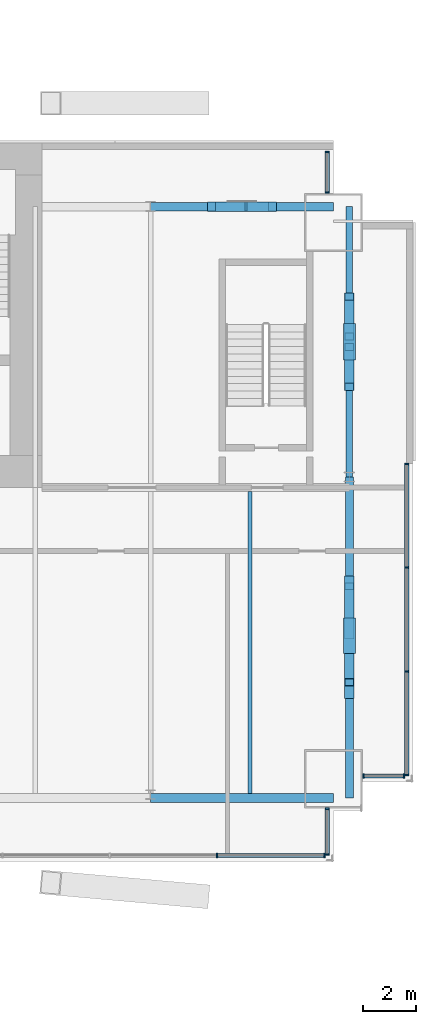
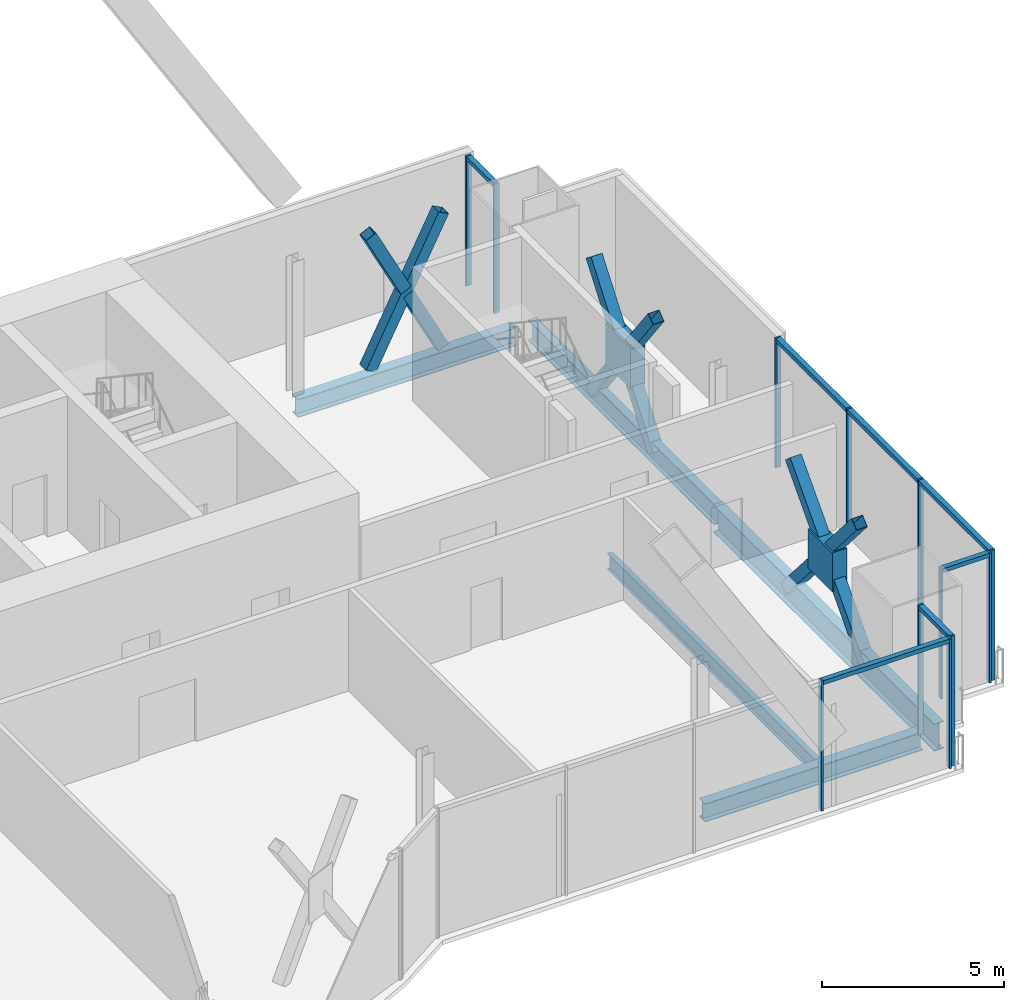
# One storey, part 11 of 19: 32 members, 5 beams, 5 elements without a shape of their own.
"""IFC4 building model written with IfcOpenShell, lengths in metres."""

import ifcopenshell
import ifcopenshell.guid

model = None  # the IFC model being written
_history = None  # IfcOwnerHistory: only IFC2X3 demands one
_inside = {}  # id of a spatial element -> (the spatial element, [elements in it])
_under = {}  # id of a project, library or spatial element -> (it, [spatial elements below it])
_declared = {}  # id of a project -> (the project, [libraries it declares])
_typed = {}  # id of a type object -> (the type object, [elements of that type])
_made_of = {}  # id of a material, layer set ... -> (it, [elements and type objects made of it])


def new_model(schema):
    """Start an empty IFC model of exactly this schema.

    Asked for "IFC4X3", IfcOpenShell would pick the latest addendum, in which some entities
    have other attributes; the version numbers below select the first issue.
    IFC2X3 requires an IfcOwnerHistory on every rooted entity: one is made here for all.
    """
    global model, _history
    if schema == "IFC4X3":
        model = ifcopenshell.file(schema_version=(4, 3, 0, 0))
    else:
        model = ifcopenshell.file(schema=schema)
    _inside.clear()
    _under.clear()
    _declared.clear()
    _typed.clear()
    _made_of.clear()
    _history = None
    if model.schema == "IFC2X3":
        org = make("IfcOrganization", Name="unknown")
        user = make(
            "IfcPersonAndOrganization",
            ThePerson=make("IfcPerson", FamilyName="unknown"),
            TheOrganization=org,
        )
        app = make(
            "IfcApplication",
            ApplicationDeveloper=org,
            Version="unknown",
            ApplicationFullName="unknown",
            ApplicationIdentifier="unknown",
        )
        _history = make(
            "IfcOwnerHistory",
            OwningUser=user,
            OwningApplication=app,
            ChangeAction="ADDED",
            CreationDate=0,
        )
    return model


def make(cls, **values):
    """One entity of the class cls with the attributes given. An attribute that is None is left unset."""
    return model.create_entity(
        cls, **{name: value for name, value in values.items() if value is not None}
    )


def rooted(cls, **values):
    """An entity with a GlobalId (a new one), such as an element, a storey or a relation."""
    return make(cls, GlobalId=ifcopenshell.guid.new(), OwnerHistory=_history, **values)


def si_unit(unit_type, name, prefix=None):
    """IfcSIUnit, for example si_unit("LENGTHUNIT", "METRE", prefix="MILLI")."""
    return make("IfcSIUnit", UnitType=unit_type, Prefix=prefix, Name=name)


def assignment(units):
    """IfcUnitAssignment: the units of a project."""
    return None if units is None else make("IfcUnitAssignment", Units=units)


def point(xyz):
    """IfcCartesianPoint."""
    return None if xyz is None else make("IfcCartesianPoint", Coordinates=xyz)


def direction(xyz):
    """IfcDirection."""
    return None if xyz is None else make("IfcDirection", DirectionRatios=xyz)


def frame(location, z_axis=None, x_axis=None):
    """IfcAxis2Placement3D, a coordinate frame: its origin and axes. An axis left out is left unset."""
    return make(
        "IfcAxis2Placement3D",
        Location=point(location),
        Axis=direction(z_axis),
        RefDirection=direction(x_axis),
    )


def frame_2d(location, x_axis=None):
    """IfcAxis2Placement2D, a coordinate frame in the plane: its origin and x axis."""
    return make(
        "IfcAxis2Placement2D", Location=point(location), RefDirection=direction(x_axis)
    )


def origin():
    """The frame at (0, 0, 0) with its axes left unset."""
    return frame((0.0, 0.0, 0.0))


def origin_2d():
    """The frame at (0, 0) in the plane with its x axis left unset."""
    return frame_2d((0.0, 0.0))


def place(relative_to, where):
    """IfcLocalPlacement: puts the frame where relative to a parent placement (None: the world)."""
    return make(
        "IfcLocalPlacement", PlacementRelTo=relative_to, RelativePlacement=where
    )


def context(
    kind, dimensions, precision=None, world=None, true_north=None, identifier=None
):
    """IfcGeometricRepresentationContext, for example the 3D "Model" context."""
    return make(
        "IfcGeometricRepresentationContext",
        ContextIdentifier=identifier,
        ContextType=kind,
        CoordinateSpaceDimension=dimensions,
        Precision=precision,
        WorldCoordinateSystem=world,
        TrueNorth=true_north,
    )


def subcontext(parent, identifier, kind, view, scale=None):
    """IfcGeometricRepresentationSubContext, for example "Body" below "Model"."""
    return make(
        "IfcGeometricRepresentationSubContext",
        ContextIdentifier=identifier,
        ContextType=kind,
        ParentContext=parent,
        TargetScale=scale,
        TargetView=view,
    )


def project(units=None, contexts=None):
    """IfcProject with its units and contexts."""
    return rooted(
        "IfcProject",
        Name="project",
        RepresentationContexts=contexts,
        UnitsInContext=assignment(units),
    )


def spatial(cls, under=None, at=None, **own):
    """A site, building, storey or space (cls), placed at a placement, below another one or the project."""
    s = rooted(cls, ObjectPlacement=at, **own)
    if under is not None:
        _under.setdefault(under.id(), (under, []))[1].append(s)
    return s


def profile(cls, at=None, kind="AREA", **sizes):
    """A parametric profile (cls). Its sizes go by their IFC names, for example OverallWidth=200.0."""
    return make(cls, ProfileType=kind, Position=at, **sizes)


def rectangle(**sizes):
    """IfcRectangleProfileDef."""
    return profile("IfcRectangleProfileDef", **sizes)


def hollow_rectangle(**sizes):
    """IfcRectangleHollowProfileDef."""
    return profile("IfcRectangleHollowProfileDef", **sizes)


def i_section(**sizes):
    """IfcIShapeProfileDef."""
    return profile("IfcIShapeProfileDef", **sizes)


def extrude(swept, where, along, depth):
    """IfcExtrudedAreaSolid: the profile swept, set in the frame where, extruded along a direction by depth."""
    return make(
        "IfcExtrudedAreaSolid",
        SweptArea=swept,
        Position=where,
        ExtrudedDirection=direction(along),
        Depth=depth,
    )


def shape(context_of_items, identifier, shape_type, items):
    """IfcShapeRepresentation: the items that make up one representation, for example the "Body"."""
    return make(
        "IfcShapeRepresentation",
        ContextOfItems=context_of_items,
        RepresentationIdentifier=identifier,
        RepresentationType=shape_type,
        Items=items,
    )


def material(Name=None, Category=None):
    """IfcMaterial."""
    return make("IfcMaterial", Name=Name, Category=Category)


def material_profile(
    of_material, cross_section, Name=None, Category=None, Priority=None
):
    """IfcMaterialProfile: a cross section and its material."""
    return make(
        "IfcMaterialProfile",
        Name=Name,
        Material=of_material,
        Profile=cross_section,
        Priority=Priority,
        Category=Category,
    )


def profile_set(profiles, Name=None, composite=None):
    """IfcMaterialProfileSet."""
    return make(
        "IfcMaterialProfileSet",
        Name=Name,
        MaterialProfiles=profiles,
        CompositeProfile=composite,
    )


def made_of(thing, what):
    """Note that an element or type object is made of a material, layer set ...; save() writes the relation."""
    if what is not None:
        _made_of.setdefault(what.id(), (what, []))[1].append(thing)
    return thing


def type_object(cls, material=None, **own):
    """A type object (cls), such as IfcWallType, which elements share."""
    return made_of(rooted(cls, **own), material)


def element(
    cls,
    number,
    at=None,
    inside=None,
    cuts=None,
    type_object=None,
    material=None,
    context=None,
    identifier="Body",
    shape_type=None,
    held_by="IfcProductDefinitionShape",
    body=None,
    shapes=None,
    **own,
):
    """One element of the class cls, such as IfcWall. Its Tag is "e" and its number.

    at: its placement. inside: the storey or other place that contains it. cuts: it is an
    opening in that element (IfcRelVoidsElement). A single representation is given by context,
    identifier, shape_type and body (its items); several are given by shapes. held_by: the class
    of the entity that holds the representations. save() writes the other relations.
    """
    e = rooted(cls, Tag="e%d" % number, ObjectPlacement=at, **own)
    if body is not None:
        shapes = [shape(context, identifier, shape_type, body)]
    if shapes is not None:
        e.Representation = make(held_by, Representations=shapes)
    if inside is not None:
        _inside.setdefault(inside.id(), (inside, []))[1].append(e)
    if cuts is not None:
        rooted(
            "IfcRelVoidsElement", RelatingBuildingElement=cuts, RelatedOpeningElement=e
        )
    if type_object is not None:
        _typed.setdefault(type_object.id(), (type_object, []))[1].append(e)
    return made_of(e, material)


def aggregate(whole, parts):
    """IfcRelAggregates: a whole, such as a stair, and the parts it consists of."""
    return rooted("IfcRelAggregates", RelatingObject=whole, RelatedObjects=parts)


def save(model, path):
    """Write the relations noted so far, then the file.

    IfcRelAggregates (storeys below a building ...), IfcRelContainedInSpatialStructure (elements
    in a storey), IfcRelDefinesByType, IfcRelAssociatesMaterial and IfcRelDeclares: one each for
    every whole, place, type object, material and project.
    """
    for whole, parts in _under.values():
        aggregate(whole, parts)
    for where, things in _inside.values():
        rooted(
            "IfcRelContainedInSpatialStructure",
            RelatedElements=things,
            RelatingStructure=where,
        )
    for kind, things in _typed.values():
        rooted("IfcRelDefinesByType", RelatedObjects=things, RelatingType=kind)
    for what, things in _made_of.values():
        rooted("IfcRelAssociatesMaterial", RelatedObjects=things, RelatingMaterial=what)
    for by, libraries in _declared.values():
        rooted("IfcRelDeclares", RelatingContext=by, RelatedDefinitions=libraries)
    model.write(path)


model = new_model("IFC4")

# Units and contexts
model_context = context("Model", 3, precision=1e-05, world=origin(), true_north=direction((0.0, 1.0)))
body_context = subcontext(model_context, "Body", "Model", "MODEL_VIEW")
ifc_project = project(units=[si_unit("LENGTHUNIT", "METRE"), si_unit("AREAUNIT", "SQUARE_METRE"), si_unit("VOLUMEUNIT", "CUBIC_METRE"), si_unit("PLANEANGLEUNIT", "RADIAN"), si_unit("MASSUNIT", "GRAM", prefix="KILO")], contexts=[model_context])

# Site, building, storey
site_placement = place(None, origin())
site = spatial("IfcSite", under=ifc_project, at=site_placement, CompositionType="ELEMENT")
building_placement = place(site_placement, origin())
building = spatial("IfcBuilding", under=site, at=building_placement, Name="Bicima Exchange Tower", CompositionType="ELEMENT")
storey_placement = place(building_placement, frame((0.0, 0.0, 297.5)))
storey = spatial("IfcBuildingStorey", under=building, at=storey_placement, Name="L67", CompositionType="ELEMENT", Elevation=297.5)

# Members
ifc_material_1 = material(Name="Steel ASTM A572 Gr 50", Category="steel")
ifc_material_profile_1 = material_profile(ifc_material_1, rectangle(XDim=0.45556640625, YDim=1.32666015625, at=origin_2d()))
ifc_profile_set_1 = profile_set([ifc_material_profile_1], Name="Steel ASTM A572 Gr 50")
member_type_1 = type_object("IfcMemberType", Name="Brace crossing node 456 x 1327", PredefinedType="POST", material=ifc_profile_set_1)
member_1_placement = place(storey_placement, frame((33.60009765625, -18.596923828125, 0.99072265625), z_axis=(0.0, 0.0, 1.0), x_axis=(1.0, 0.0, 0.0)))
element("IfcMember", 1, at=member_1_placement, inside=storey, type_object=member_type_1, Name="Brace crossing node block", PredefinedType="POST", context=body_context, shape_type="SweptSolid", body=[
    extrude(rectangle(XDim=0.45556640625, YDim=1.32666015625, at=origin_2d()), origin(), (0.0, 0.0, 1.0), 1.306640625),
])
ifc_material_profile_2 = material_profile(ifc_material_1, rectangle(XDim=0.45556640625, YDim=1.381103515625, at=origin_2d()))
ifc_profile_set_2 = profile_set([ifc_material_profile_2], Name="Steel ASTM A572 Gr 50")
member_type_2 = type_object("IfcMemberType", Name="Brace crossing node 456 x 1381", PredefinedType="POST", material=ifc_profile_set_2)
member_2_placement = place(storey_placement, frame((33.60009765625, -7.5, 1.07275390625), z_axis=(0.0, 0.0, 1.0), x_axis=(1.0, 0.0, 0.0)))
element("IfcMember", 2, at=member_2_placement, inside=storey, type_object=member_type_2, Name="Brace crossing node block", PredefinedType="POST", context=body_context, shape_type="SweptSolid", body=[
    extrude(rectangle(XDim=0.45556640625, YDim=1.381103515625, at=origin_2d()), origin(), (0.0, 0.0, 1.0), 1.361083984375),
])

# Curtain wall, members
ifc_material_2 = material(Name="Anodised bronze aluminium", Category="aluminium")
curtain_wall_type_1 = type_object("IfcCurtainWallType", Name="End face glass wall", PredefinedType="NOTDEFINED", material=ifc_material_2)
curtain_wall_1_placement = place(storey_placement, origin())
curtain_wall_1 = element("IfcCurtainWall", 3, at=curtain_wall_1_placement, inside=storey, type_object=curtain_wall_type_1, Name="End face glass wall L67 run 19", PredefinedType="NOTDEFINED")
ifc_material_profile_3 = material_profile(ifc_material_2, rectangle(XDim=0.159912109375, YDim=0.06005859375, at=origin_2d()))
ifc_profile_set_3 = profile_set([ifc_material_profile_3], Name="Anodised bronze aluminium")
member_type_3 = type_object("IfcMemberType", Name="End face glass wall mullion 60 x 160", PredefinedType="MULLION", material=ifc_profile_set_3)
member_3_placement = place(storey_placement, frame((35.77001953125, -23.85595703125, 0.0), z_axis=(0.0, 0.0, 1.0), x_axis=(-1.0, 0.0, 0.0)))
member_3 = element("IfcMember", 4, at=member_3_placement, type_object=member_type_3, Name="End face glass wall mullion 1", PredefinedType="MULLION", context=body_context, shape_type="SweptSolid", body=[
    extrude(rectangle(XDim=0.159912109375, YDim=0.06005859375, at=origin_2d()), origin(), (0.0, 0.0, 1.0), 4.35009765625),
])
member_4_placement = place(storey_placement, frame((35.77001953125, -19.940673828125, 0.0), z_axis=(0.0, 0.0, 1.0), x_axis=(-1.0, 0.0, 0.0)))
member_4 = element("IfcMember", 5, at=member_4_placement, type_object=member_type_3, Name="End face glass wall mullion 2", PredefinedType="MULLION", context=body_context, shape_type="SweptSolid", body=[
    extrude(rectangle(XDim=0.159912109375, YDim=0.06005859375, at=origin_2d()), origin(), (0.0, 0.0, 1.0), 4.35009765625),
])
member_5_placement = place(storey_placement, frame((35.77001953125, -16.025390625, 0.0), z_axis=(0.0, 0.0, 1.0), x_axis=(-1.0, 0.0, 0.0)))
member_5 = element("IfcMember", 6, at=member_5_placement, type_object=member_type_3, Name="End face glass wall mullion 3", PredefinedType="MULLION", context=body_context, shape_type="SweptSolid", body=[
    extrude(rectangle(XDim=0.159912109375, YDim=0.06005859375, at=origin_2d()), origin(), (0.0, 0.0, 1.0), 4.35009765625),
])
member_6_placement = place(storey_placement, frame((35.77001953125, -12.110107421875, 0.0), z_axis=(0.0, 0.0, 1.0), x_axis=(-1.0, 0.0, 0.0)))
member_6 = element("IfcMember", 7, at=member_6_placement, type_object=member_type_3, Name="End face glass wall mullion 4", PredefinedType="MULLION", context=body_context, shape_type="SweptSolid", body=[
    extrude(rectangle(XDim=0.159912109375, YDim=0.06005859375, at=origin_2d()), origin(), (0.0, 0.0, 1.0), 4.35009765625),
])
ifc_material_profile_4 = material_profile(ifc_material_2, rectangle(XDim=0.159912109375, YDim=0.139892578125, at=origin_2d()))
ifc_profile_set_4 = profile_set([ifc_material_profile_4], Name="Anodised bronze aluminium")
member_type_4 = type_object("IfcMemberType", Name="End face glass wall transom 140 x 160", PredefinedType="USERDEFINED", material=ifc_profile_set_4)
member_7_placement = place(storey_placement, frame((35.77001953125, -23.825927734375, 4.280029296875), z_axis=(0.0, 1.0, 0.0), x_axis=(-1.0, 0.0, 0.0)))
member_7 = element("IfcMember", 8, at=member_7_placement, type_object=member_type_4, Name="End face glass wall transom 1.1", ObjectType="TRANSOM", PredefinedType="USERDEFINED", context=body_context, shape_type="SweptSolid", body=[
    extrude(rectangle(XDim=0.159912109375, YDim=0.139892578125, at=origin_2d()), origin(), (0.0, 0.0, 1.0), 3.855224609375),
])
member_8_placement = place(storey_placement, frame((35.77001953125, -19.91064453125, 4.280029296875), z_axis=(0.0, 1.0, 0.0), x_axis=(-1.0, 0.0, 0.0)))
member_8 = element("IfcMember", 9, at=member_8_placement, type_object=member_type_4, Name="End face glass wall transom 2.1", ObjectType="TRANSOM", PredefinedType="USERDEFINED", context=body_context, shape_type="SweptSolid", body=[
    extrude(rectangle(XDim=0.159912109375, YDim=0.139892578125, at=origin_2d()), origin(), (0.0, 0.0, 1.0), 3.855224609375),
])
member_9_placement = place(storey_placement, frame((35.77001953125, -15.995361328125, 4.280029296875), z_axis=(0.0, 1.0, 0.0), x_axis=(-1.0, 0.0, 0.0)))
member_9 = element("IfcMember", 10, at=member_9_placement, type_object=member_type_4, Name="End face glass wall transom 3.1", ObjectType="TRANSOM", PredefinedType="USERDEFINED", context=body_context, shape_type="SweptSolid", body=[
    extrude(rectangle(XDim=0.159912109375, YDim=0.139892578125, at=origin_2d()), origin(), (0.0, 0.0, 1.0), 3.85546875),
])
aggregate(curtain_wall_1, [member_3, member_4, member_5, member_6, member_7, member_8, member_9])

# Beams
ifc_material_3 = material(Name="Steel ASTM A992 Gr 50", Category="steel")
ifc_material_profile_5 = material_profile(ifc_material_3, i_section(OverallWidth=0.256591796875, OverallDepth=0.693359375, WebThickness=0.014404296875, FlangeThickness=0.023681640625, at=origin_2d()))
ifc_profile_set_5 = profile_set([ifc_material_profile_5], Name="Steel ASTM A992 Gr 50")
beam_type_1 = type_object("IfcBeamType", Name="End girder W27x114", PredefinedType="BEAM", material=ifc_profile_set_5)
beam_1_placement = place(storey_placement, frame((33.60009765625, -2.39990234375, -0.49658203125), z_axis=(0.0, -1.0, 0.0), x_axis=(1.0, 0.0, 0.0)))
element("IfcBeam", 11, at=beam_1_placement, inside=storey, type_object=beam_type_1, Name="End girder", PredefinedType="BEAM", context=body_context, shape_type="SweptSolid", body=[
    extrude(i_section(OverallWidth=0.256591796875, OverallDepth=0.693359375, WebThickness=0.014404296875, FlangeThickness=0.023681640625, at=origin_2d()), origin(), (0.0, 0.0, 1.0), 10.2001953125),
])
ifc_material_profile_6 = material_profile(ifc_material_3, i_section(OverallWidth=0.3046875, OverallDepth=0.911865234375, WebThickness=0.015869140625, FlangeThickness=0.02392578125, at=origin_2d()))
ifc_profile_set_6 = profile_set([ifc_material_profile_6], Name="Steel ASTM A992 Gr 50")
beam_type_2 = type_object("IfcBeamType", Name="End girder W36x150", PredefinedType="BEAM", material=ifc_profile_set_6)
beam_2_placement = place(storey_placement, frame((33.60009765625, -12.60009765625, -0.60595703125), z_axis=(0.0, -1.0, 0.0), x_axis=(1.0, 0.0, 0.0)))
element("IfcBeam", 12, at=beam_2_placement, inside=storey, type_object=beam_type_2, Name="End girder", PredefinedType="BEAM", context=body_context, shape_type="SweptSolid", body=[
    extrude(i_section(OverallWidth=0.3046875, OverallDepth=0.911865234375, WebThickness=0.015869140625, FlangeThickness=0.02392578125, at=origin_2d()), origin(), (0.0, 0.0, 1.0), 12.115966796875),
])
ifc_material_profile_7 = material_profile(ifc_material_3, i_section(OverallWidth=0.165771484375, OverallDepth=0.5283203125, WebThickness=0.009765625, FlangeThickness=0.013671875, at=origin_2d()))
ifc_profile_set_7 = profile_set([ifc_material_profile_7], Name="Steel ASTM A992 Gr 50")
beam_type_3 = type_object("IfcBeamType", Name="Floor beam W21x50", PredefinedType="JOIST", material=ifc_profile_set_7)
beam_3_placement = place(storey_placement, frame((29.85009765625, -13.15234375, -0.414306640625), z_axis=(0.0, -1.0, 0.0), x_axis=(1.0, 0.0, 0.0)))
element("IfcBeam", 13, at=beam_3_placement, inside=storey, type_object=beam_type_3, Name="Floor beam", PredefinedType="JOIST", context=body_context, shape_type="SweptSolid", body=[
    extrude(i_section(OverallWidth=0.165771484375, OverallDepth=0.5283203125, WebThickness=0.009765625, FlangeThickness=0.013671875, at=origin_2d()), origin(), (0.0, 0.0, 1.0), 11.401123046875),
])
ifc_material_profile_8 = material_profile(ifc_material_3, i_section(OverallWidth=0.3251953125, OverallDepth=0.612060546875, WebThickness=0.0126953125, FlangeThickness=0.01904296875, at=origin_2d()))
ifc_profile_set_8 = profile_set([ifc_material_profile_8], Name="Steel ASTM A992 Gr 50")
beam_type_4 = type_object("IfcBeamType", Name="Front girder W24x104", PredefinedType="BEAM", material=ifc_profile_set_8)
beam_4_placement = place(storey_placement, frame((26.10009765625, -24.716064453125, -0.4560546875), z_axis=(1.0, 0.0, 0.0), x_axis=(0.0, 1.0, 0.0)))
element("IfcBeam", 14, at=beam_4_placement, inside=storey, type_object=beam_type_4, Name="Front girder", PredefinedType="BEAM", context=body_context, shape_type="SweptSolid", body=[
    extrude(i_section(OverallWidth=0.3251953125, OverallDepth=0.612060546875, WebThickness=0.0126953125, FlangeThickness=0.01904296875, at=origin_2d()), origin(), (0.0, 0.0, 1.0), 6.89990234375),
])

# Curtain wall, members
curtain_wall_type_2 = type_object("IfcCurtainWallType", Name="Front glass wall", PredefinedType="NOTDEFINED", material=ifc_material_2)
curtain_wall_2_placement = place(storey_placement, origin())
curtain_wall_2 = element("IfcCurtainWall", 15, at=curtain_wall_2_placement, inside=storey, type_object=curtain_wall_type_2, Name="Front glass wall L67 run 16", PredefinedType="NOTDEFINED")
member_type_5 = type_object("IfcMemberType", Name="Front glass wall mullion 60 x 160", PredefinedType="MULLION", material=ifc_profile_set_3)
member_10_placement = place(storey_placement, frame((28.610595703125, -26.885986328125, 0.0), z_axis=(0.0, 0.0, 1.0), x_axis=(0.0, 1.0, 0.0)))
member_10 = element("IfcMember", 16, at=member_10_placement, type_object=member_type_5, Name="Front glass wall mullion 4", PredefinedType="MULLION", context=body_context, shape_type="SweptSolid", body=[
    extrude(rectangle(XDim=0.159912109375, YDim=0.06005859375, at=origin_2d()), origin(), (0.0, 0.0, 1.0), 4.35009765625),
])
member_11_placement = place(storey_placement, frame((32.659912109375, -26.885986328125, 0.0), z_axis=(0.0, 0.0, 1.0), x_axis=(0.0, 1.0, 0.0)))
member_11 = element("IfcMember", 17, at=member_11_placement, type_object=member_type_5, Name="Front glass wall mullion 5", PredefinedType="MULLION", context=body_context, shape_type="SweptSolid", body=[
    extrude(rectangle(XDim=0.159912109375, YDim=0.06005859375, at=origin_2d()), origin(), (0.0, 0.0, 1.0), 4.35009765625),
])

curtain_wall_3_placement = place(storey_placement, origin())
curtain_wall_3 = element("IfcCurtainWall", 18, at=curtain_wall_3_placement, inside=storey, type_object=curtain_wall_type_2, Name="Front glass wall L67 run 17", PredefinedType="NOTDEFINED")
member_12_placement = place(storey_placement, frame((32.77001953125, -26.85595703125, 0.0), z_axis=(0.0, 0.0, 1.0), x_axis=(-1.0, 0.0, 0.0)))
member_12 = element("IfcMember", 19, at=member_12_placement, type_object=member_type_5, Name="Front glass wall mullion 1", PredefinedType="MULLION", context=body_context, shape_type="SweptSolid", body=[
    extrude(rectangle(XDim=0.159912109375, YDim=0.06005859375, at=origin_2d()), origin(), (0.0, 0.0, 1.0), 4.35009765625),
])
member_13_placement = place(storey_placement, frame((32.77001953125, -25.1240234375, 0.0), z_axis=(0.0, 0.0, 1.0), x_axis=(-1.0, 0.0, 0.0)))
member_13 = element("IfcMember", 20, at=member_13_placement, type_object=member_type_5, Name="Front glass wall mullion 2", PredefinedType="MULLION", context=body_context, shape_type="SweptSolid", body=[
    extrude(rectangle(XDim=0.159912109375, YDim=0.06005859375, at=origin_2d()), origin(), (0.0, 0.0, 1.0), 4.35009765625),
])

curtain_wall_4_placement = place(storey_placement, origin())
curtain_wall_4 = element("IfcCurtainWall", 21, at=curtain_wall_4_placement, inside=storey, type_object=curtain_wall_type_2, Name="Front glass wall L67 run 18", PredefinedType="NOTDEFINED")
member_14_placement = place(storey_placement, frame((34.1298828125, -23.885986328125, 0.0), z_axis=(0.0, 0.0, 1.0), x_axis=(0.0, 1.0, 0.0)))
member_14 = element("IfcMember", 22, at=member_14_placement, type_object=member_type_5, Name="Front glass wall mullion 1", PredefinedType="MULLION", context=body_context, shape_type="SweptSolid", body=[
    extrude(rectangle(XDim=0.159912109375, YDim=0.06005859375, at=origin_2d()), origin(), (0.0, 0.0, 1.0), 4.35009765625),
])
member_15_placement = place(storey_placement, frame((35.659912109375, -23.885986328125, 0.0), z_axis=(0.0, 0.0, 1.0), x_axis=(0.0, 1.0, 0.0)))
member_15 = element("IfcMember", 23, at=member_15_placement, type_object=member_type_5, Name="Front glass wall mullion 2", PredefinedType="MULLION", context=body_context, shape_type="SweptSolid", body=[
    extrude(rectangle(XDim=0.159912109375, YDim=0.06005859375, at=origin_2d()), origin(), (0.0, 0.0, 1.0), 4.35009765625),
])

curtain_wall_5_placement = place(storey_placement, origin())
curtain_wall_5 = element("IfcCurtainWall", 24, at=curtain_wall_5_placement, inside=storey, type_object=curtain_wall_type_2, Name="Front glass wall L67 run 20", PredefinedType="NOTDEFINED")
member_16_placement = place(storey_placement, frame((32.77001953125, -1.8701171875, 0.0), z_axis=(0.0, 0.0, 1.0), x_axis=(-1.0, 0.0, 0.0)))
member_16 = element("IfcMember", 25, at=member_16_placement, type_object=member_type_5, Name="Front glass wall mullion 1", PredefinedType="MULLION", context=body_context, shape_type="SweptSolid", body=[
    extrude(rectangle(XDim=0.159912109375, YDim=0.06005859375, at=origin_2d()), origin(), (0.0, 0.0, 1.0), 4.35009765625),
])
member_17_placement = place(storey_placement, frame((32.77001953125, -0.340087890625, 0.0), z_axis=(0.0, 0.0, 1.0), x_axis=(-1.0, 0.0, 0.0)))
member_17 = element("IfcMember", 26, at=member_17_placement, type_object=member_type_5, Name="Front glass wall mullion 2", PredefinedType="MULLION", context=body_context, shape_type="SweptSolid", body=[
    extrude(rectangle(XDim=0.159912109375, YDim=0.06005859375, at=origin_2d()), origin(), (0.0, 0.0, 1.0), 4.35009765625),
])

# Member
member_type_6 = type_object("IfcMemberType", Name="Front glass wall transom 140 x 160", PredefinedType="USERDEFINED", material=ifc_profile_set_4)
member_18_placement = place(storey_placement, frame((28.640380859375, -26.885986328125, 4.280029296875), z_axis=(1.0, 0.0, 0.0), x_axis=(0.0, 1.0, 0.0)))
member_18 = element("IfcMember", 27, at=member_18_placement, type_object=member_type_6, Name="Front glass wall transom 4.1", ObjectType="TRANSOM", PredefinedType="USERDEFINED", context=body_context, shape_type="SweptSolid", body=[
    extrude(rectangle(XDim=0.159912109375, YDim=0.139892578125, at=origin_2d()), origin(), (0.0, 0.0, 1.0), 3.989501953125),
])

aggregate(curtain_wall_2, [member_10, member_11, member_18])

member_19_placement = place(storey_placement, frame((32.77001953125, -26.825927734375, 4.280029296875), z_axis=(0.0, 1.0, 0.0), x_axis=(-1.0, 0.0, 0.0)))
member_19 = element("IfcMember", 28, at=member_19_placement, type_object=member_type_6, Name="Front glass wall transom 1.1", ObjectType="TRANSOM", PredefinedType="USERDEFINED", context=body_context, shape_type="SweptSolid", body=[
    extrude(rectangle(XDim=0.159912109375, YDim=0.139892578125, at=origin_2d()), origin(), (0.0, 0.0, 1.0), 1.671875),
])

aggregate(curtain_wall_3, [member_12, member_13, member_19])

member_20_placement = place(storey_placement, frame((34.159912109375, -23.885986328125, 4.280029296875), z_axis=(1.0, 0.0, 0.0), x_axis=(0.0, 1.0, 0.0)))
member_20 = element("IfcMember", 29, at=member_20_placement, type_object=member_type_6, Name="Front glass wall transom 1.1", ObjectType="TRANSOM", PredefinedType="USERDEFINED", context=body_context, shape_type="SweptSolid", body=[
    extrude(rectangle(XDim=0.159912109375, YDim=0.139892578125, at=origin_2d()), origin(), (0.0, 0.0, 1.0), 1.469970703125),
])

aggregate(curtain_wall_4, [member_14, member_15, member_20])

member_21_placement = place(storey_placement, frame((32.77001953125, -1.840087890625, 4.280029296875), z_axis=(0.0, 1.0, 0.0), x_axis=(-1.0, 0.0, 0.0)))
member_21 = element("IfcMember", 30, at=member_21_placement, type_object=member_type_6, Name="Front glass wall transom 1.1", ObjectType="TRANSOM", PredefinedType="USERDEFINED", context=body_context, shape_type="SweptSolid", body=[
    extrude(rectangle(XDim=0.159912109375, YDim=0.139892578125, at=origin_2d()), origin(), (0.0, 0.0, 1.0), 1.469970703125),
])

aggregate(curtain_wall_5, [member_16, member_17, member_21])

# Members
ifc_material_profile_9 = material_profile(ifc_material_1, hollow_rectangle(XDim=0.355712890625, YDim=0.355712890625, WallThickness=0.01171875, at=origin_2d()))
ifc_profile_set_9 = profile_set([ifc_material_profile_9], Name="Steel ASTM A572 Gr 50")
member_type_7 = type_object("IfcMemberType", Name="Mega brace HSS14x14x1/2", PredefinedType="BRACE", material=ifc_profile_set_9)
member_22_placement = place(storey_placement, frame((28.39990234375, -2.39990234375, 0.0), z_axis=(0.455118720355, 0.0, 0.890430766754), x_axis=(0.0, 1.0, 0.0)))
element("IfcMember", 31, at=member_22_placement, inside=storey, type_object=member_type_7, Name="Mega brace rear", PredefinedType="BRACE", context=body_context, shape_type="SweptSolid", body=[
    extrude(hollow_rectangle(XDim=0.355712890625, YDim=0.355712890625, WallThickness=0.01171875, at=origin_2d()), origin(), (0.0, 0.0, 1.0), 5.0537109375),
])
for number, where, z_axis, x_axis, name in (
    (32, (30.699951171875, -2.39990234375, 0.0), (-0.455104022768, 0.0, 0.890438278861), (0.0, -1.0, 0.0), "Mega brace rear"),
    (33, (29.5126953125, -2.39990234375, 2.32275390625), (-0.455104022768, 0.0, 0.890438278861), (0.0, -1.0, 0.0), "Mega brace rear"),
):
    element("IfcMember", number, at=place(storey_placement, frame(where, z_axis=z_axis, x_axis=x_axis)), inside=storey, type_object=member_type_7, Name=name, PredefinedType="BRACE", context=body_context, shape_type="SweptSolid", body=[
        extrude(hollow_rectangle(XDim=0.355712890625, YDim=0.355712890625, WallThickness=0.01171875, at=origin_2d()), origin(), (0.0, 0.0, 1.0), 2.445068359375),
    ])
member_23_placement = place(storey_placement, frame((33.60009765625, -5.800048828125, -0.49658203125), z_axis=(0.0, -0.602892613419, 0.797822346569), x_axis=(1.0, 0.0, 0.0)))
element("IfcMember", 34, at=member_23_placement, inside=storey, type_object=member_type_7, Name="Mega brace east end", PredefinedType="BRACE", context=body_context, shape_type="SweptSolid", body=[
    extrude(hollow_rectangle(XDim=0.355712890625, YDim=0.355712890625, WallThickness=0.01171875, at=origin_2d()), origin(), (0.0, 0.0, 1.0), 2.494873046875),
])
member_24_placement = place(storey_placement, frame((33.60009765625, -7.69580078125, 2.012451171875), z_axis=(0.0, -0.602798485934, 0.797893467423), x_axis=(1.0, 0.0, 0.0)))
element("IfcMember", 35, at=member_24_placement, inside=storey, type_object=member_type_7, Name="Mega brace east end", PredefinedType="BRACE", context=body_context, shape_type="SweptSolid", body=[
    extrude(hollow_rectangle(XDim=0.355712890625, YDim=0.355712890625, WallThickness=0.01171875, at=origin_2d()), origin(), (0.0, 0.0, 1.0), 2.495361328125),
])
member_25_placement = place(storey_placement, frame((33.60009765625, -9.199951171875, -0.49658203125), z_axis=(0.0, 0.602892613419, 0.797822346569), x_axis=(-1.0, 0.0, 0.0)))
element("IfcMember", 36, at=member_25_placement, inside=storey, type_object=member_type_7, Name="Mega brace east end", PredefinedType="BRACE", context=body_context, shape_type="SweptSolid", body=[
    extrude(hollow_rectangle(XDim=0.355712890625, YDim=0.355712890625, WallThickness=0.01171875, at=origin_2d()), origin(), (0.0, 0.0, 1.0), 2.494873046875),
])
member_26_placement = place(storey_placement, frame((33.60009765625, -7.30419921875, 2.012451171875), z_axis=(0.0, 0.602798485934, 0.797893467423), x_axis=(-1.0, 0.0, 0.0)))
element("IfcMember", 37, at=member_26_placement, inside=storey, type_object=member_type_7, Name="Mega brace east end", PredefinedType="BRACE", context=body_context, shape_type="SweptSolid", body=[
    extrude(hollow_rectangle(XDim=0.355712890625, YDim=0.355712890625, WallThickness=0.01171875, at=origin_2d()), origin(), (0.0, 0.0, 1.0), 2.495361328125),
])
for number, where, z_axis, x_axis, name in (
    (38, (33.60009765625, -16.47607421875, -0.60595703125), (0.0, -0.652610580339, 0.757693493723), (1.0, 0.0, 0.0), "Mega brace east end"),
    (39, (33.60009765625, -18.6083984375, 1.86962890625), (0.0, -0.652610580339, 0.757693493723), (1.0, 0.0, 0.0), "Mega brace east end"),
):
    element("IfcMember", number, at=place(storey_placement, frame(where, z_axis=z_axis, x_axis=x_axis)), inside=storey, type_object=member_type_7, Name=name, PredefinedType="BRACE", context=body_context, shape_type="SweptSolid", body=[
        extrude(hollow_rectangle(XDim=0.355712890625, YDim=0.355712890625, WallThickness=0.01171875, at=origin_2d()), origin(), (0.0, 0.0, 1.0), 2.671875),
    ])
member_27_placement = place(storey_placement, frame((33.60009765625, -20.840087890625, -0.60595703125), z_axis=(0.0, 0.675246592205, 0.737592055079), x_axis=(-1.0, 0.0, 0.0)))
element("IfcMember", 40, at=member_27_placement, inside=storey, type_object=member_type_7, Name="Mega brace east end", PredefinedType="BRACE", context=body_context, shape_type="SweptSolid", body=[
    extrude(hollow_rectangle(XDim=0.355712890625, YDim=0.355712890625, WallThickness=0.01171875, at=origin_2d()), origin(), (0.0, 0.0, 1.0), 2.7529296875),
])
member_28_placement = place(storey_placement, frame((33.60009765625, -18.578857421875, 1.86376953125), z_axis=(0.0, 0.675290763961, 0.737551614539), x_axis=(-1.0, 0.0, 0.0)))
element("IfcMember", 41, at=member_28_placement, inside=storey, type_object=member_type_7, Name="Mega brace east end", PredefinedType="BRACE", context=body_context, shape_type="SweptSolid", body=[
    extrude(hollow_rectangle(XDim=0.355712890625, YDim=0.355712890625, WallThickness=0.01171875, at=origin_2d()), origin(), (0.0, 0.0, 1.0), 2.752685546875),
])

# Beam
beam_type_5 = type_object("IfcBeamType", Name="Rear girder W24x104", PredefinedType="BEAM", material=ifc_profile_set_8)
beam_5_placement = place(storey_placement, frame((26.10009765625, -2.39990234375, -0.4560546875), z_axis=(1.0, 0.0, 0.0), x_axis=(0.0, 1.0, 0.0)))
element("IfcBeam", 42, at=beam_5_placement, inside=storey, type_object=beam_type_5, Name="Rear girder", PredefinedType="BEAM", context=body_context, shape_type="SweptSolid", body=[
    extrude(i_section(OverallWidth=0.3251953125, OverallDepth=0.612060546875, WebThickness=0.0126953125, FlangeThickness=0.01904296875, at=origin_2d()), origin(), (0.0, 0.0, 1.0), 6.89990234375),
])

save(model, "model.ifc")
